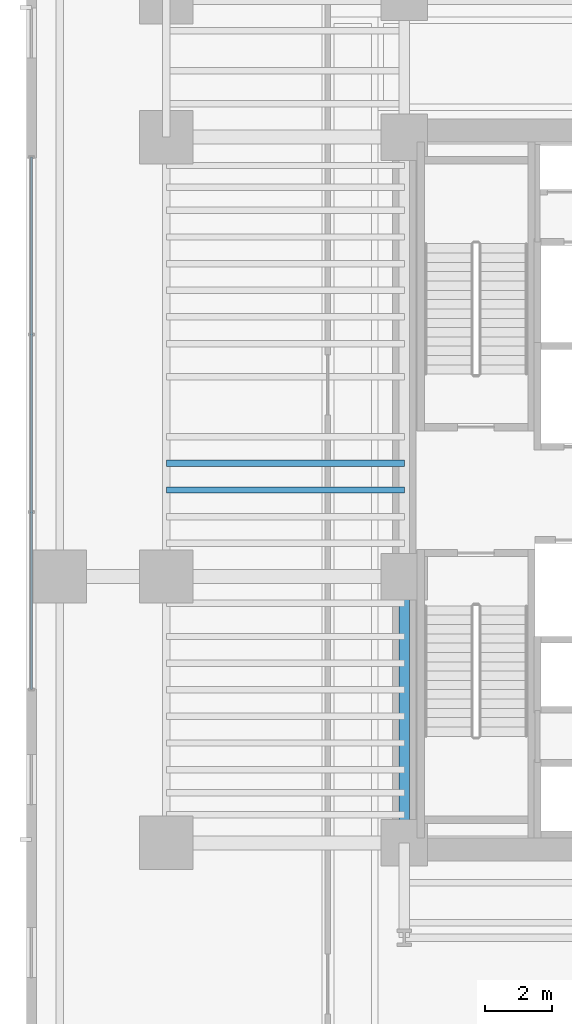
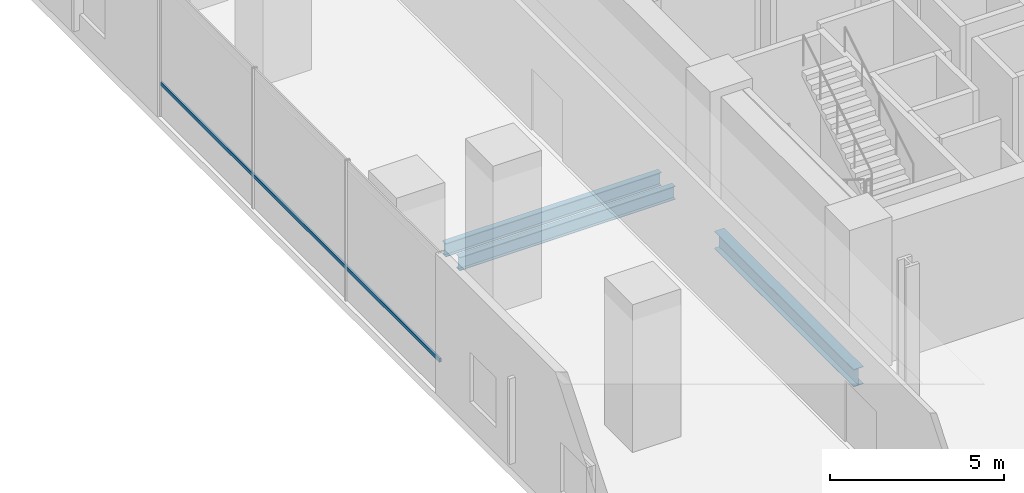
# One storey, part 3 of 39: 3 beams, 1 member, 1 element without a shape of its own.
"""IFC4 building model written with IfcOpenShell, lengths in metres."""

from ifc_helpers import new_model, si_unit, direction, frame, origin, origin_2d, place, context, subcontext, project, spatial, hollow_rectangle, i_section, extrude, source, transform, mapped, material, material_profile, profile_set, type_object, element, aggregate, save


model = new_model("IFC4")

# Units and contexts
model_context = context("Model", 3, precision=1e-05, world=origin(), true_north=direction((0.0, 1.0)))
body_context = subcontext(model_context, "Body", "Model", "MODEL_VIEW")
ifc_project = project(units=[si_unit("LENGTHUNIT", "METRE"), si_unit("AREAUNIT", "SQUARE_METRE"), si_unit("VOLUMEUNIT", "CUBIC_METRE"), si_unit("PLANEANGLEUNIT", "RADIAN"), si_unit("MASSUNIT", "GRAM", prefix="KILO")], contexts=[model_context])

# Site, building, storey
site_placement = place(None, origin())
site = spatial("IfcSite", under=ifc_project, at=site_placement, CompositionType="ELEMENT")
building_placement = place(site_placement, origin())
building = spatial("IfcBuilding", under=site, at=building_placement, Name="Valdorenza Pilgrim Sanctuary Tower", CompositionType="ELEMENT")
storey_placement = place(building_placement, frame((0.0, 0.0, 10.39990234375)))
storey = spatial("IfcBuildingStorey", under=building, at=storey_placement, Name="L02", CompositionType="ELEMENT", Elevation=10.39990234375)

# Beams
ifc_material_1 = material(Name="Steel ASTM A992 Grade 50", Category="steel")
ifc_material_profile_1 = material_profile(ifc_material_1, i_section(OverallWidth=0.323974609375, OverallDepth=0.611083984375, WebThickness=0.0126953125, FlangeThickness=0.01904296875, at=origin_2d()), Name="W24X104")
ifc_profile_set_1 = profile_set([ifc_material_profile_1], Name="Steel ASTM A992 Grade 50")
beam_type_1 = type_object("IfcBeamType", Name="STR-BM-GRD-W24B", PredefinedType="BEAM", material=ifc_profile_set_1)
shared_shape_1 = source(origin(), body_context, "Body", "SweptSolid", [
    extrude(i_section(OverallWidth=0.323974609375, OverallDepth=0.611083984375, WebThickness=0.0126953125, FlangeThickness=0.01904296875, at=origin_2d()), origin(), (0.0, 0.0, 1.0), 8.0),
])
beam_placement = place(storey_placement, frame((-22.64990234375, -10.60009765625, -0.58544921875), z_axis=(0.0, 1.0, 0.0), x_axis=(-1.0, 0.0, 0.0)))
element("IfcBeam", 1, at=beam_placement, inside=storey, type_object=beam_type_1, Name="L02 Core Tie Girder CA-W-S1M0", PredefinedType="BEAM", context=body_context, shape_type="MappedRepresentation", body=[
    mapped(shared_shape_1, transform((0.0, 0.0, 0.0), x_axis=(1.0, 0.0, 0.0), y_axis=(0.0, 1.0, 0.0), z_axis=(0.0, 0.0, 1.0), scale=1.0)),
])
ifc_material_profile_2 = material_profile(ifc_material_1, i_section(OverallWidth=0.193115234375, OverallDepth=0.466064453125, WebThickness=0.011474609375, FlangeThickness=0.01904296875, at=origin_2d()), Name="W18X65")
ifc_profile_set_2 = profile_set([ifc_material_profile_2], Name="Steel ASTM A992 Grade 50")
beam_type_2 = type_object("IfcBeamType", Name="STR-BM-JST-W18A", PredefinedType="JOIST", material=ifc_profile_set_2)
shared_shape_2 = source(origin(), body_context, "Body", "SweptSolid", [
    extrude(i_section(OverallWidth=0.193115234375, OverallDepth=0.466064453125, WebThickness=0.011474609375, FlangeThickness=0.01904296875, at=origin_2d()), origin(), (0.0, 0.0, 1.0), 7.150146484375),
])
for number, where, z_axis, x_axis, name in (
    (2, (-29.800048828125, 0.0, -0.512939453125), (1.0, 0.0, 0.0), (0.0, 1.0, 0.0), "L02 Composite Floor Joist JST-WA-12"),
    (3, (-29.800048828125, 0.800048828125, -0.512939453125), (1.0, 0.0, 0.0), (0.0, 1.0, 0.0), "L02 Composite Floor Joist JST-WA-13"),
):
    element("IfcBeam", number, at=place(storey_placement, frame(where, z_axis=z_axis, x_axis=x_axis)), inside=storey, type_object=beam_type_2, Name=name, PredefinedType="JOIST", context=body_context, shape_type="MappedRepresentation", body=[
        mapped(shared_shape_2, transform((0.0, 0.0, 0.0), x_axis=(1.0, 0.0, 0.0), y_axis=(0.0, 1.0, 0.0), z_axis=(0.0, 0.0, 1.0), scale=1.0)),
    ])

# Curtain wall, member
ifc_material_2 = material(Name="Curtain-wall IGU glazing", Category="glass")
curtain_wall_type = type_object("IfcCurtainWallType", Name="CW-SYS-01", PredefinedType="NOTDEFINED", material=ifc_material_2)
curtain_wall_placement = place(storey_placement, origin())
curtain_wall = element("IfcCurtainWall", 4, at=curtain_wall_placement, inside=storey, type_object=curtain_wall_type, Name="L02 Curtain Wall CW-POD-L02-WW", PredefinedType="NOTDEFINED")
ifc_material_3 = material(Name="Anodised aluminium AW-6060", Category="aluminium")
ifc_material_profile_3 = material_profile(ifc_material_3, hollow_rectangle(XDim=0.06494140625, YDim=0.1298828125, WallThickness=0.00341796875, at=origin_2d()), Name="ALU-T 130x65x3.5")
ifc_profile_set_3 = profile_set([ifc_material_profile_3], Name="Anodised aluminium AW-6060")
member_type = type_object("IfcMemberType", Name="CW-TRN-01", PredefinedType="USERDEFINED", material=ifc_profile_set_3)
shared_shape_3 = source(origin(), body_context, "Body", "SweptSolid", [
    extrude(hollow_rectangle(XDim=0.06494140625, YDim=0.1298828125, WallThickness=0.00341796875, at=origin_2d()), origin(), (0.0, 0.0, 1.0), 16.0),
])
member_placement = place(storey_placement, frame((-33.85009765625, -6.0, 1.1201171875), z_axis=(0.0, 1.0, 0.0), x_axis=(-1.0, 0.0, 0.0)))
member = element("IfcMember", 5, at=member_placement, type_object=member_type, Name="CW-POD-L02-WW Transom 1", ObjectType="TRANSOM", PredefinedType="USERDEFINED", context=body_context, shape_type="MappedRepresentation", body=[
    mapped(shared_shape_3, transform((0.0, 0.0, 0.0), x_axis=(1.0, 0.0, 0.0), y_axis=(0.0, 1.0, 0.0), z_axis=(0.0, 0.0, 1.0), scale=1.0)),
])
aggregate(curtain_wall, [member])

save(model, "model.ifc")
